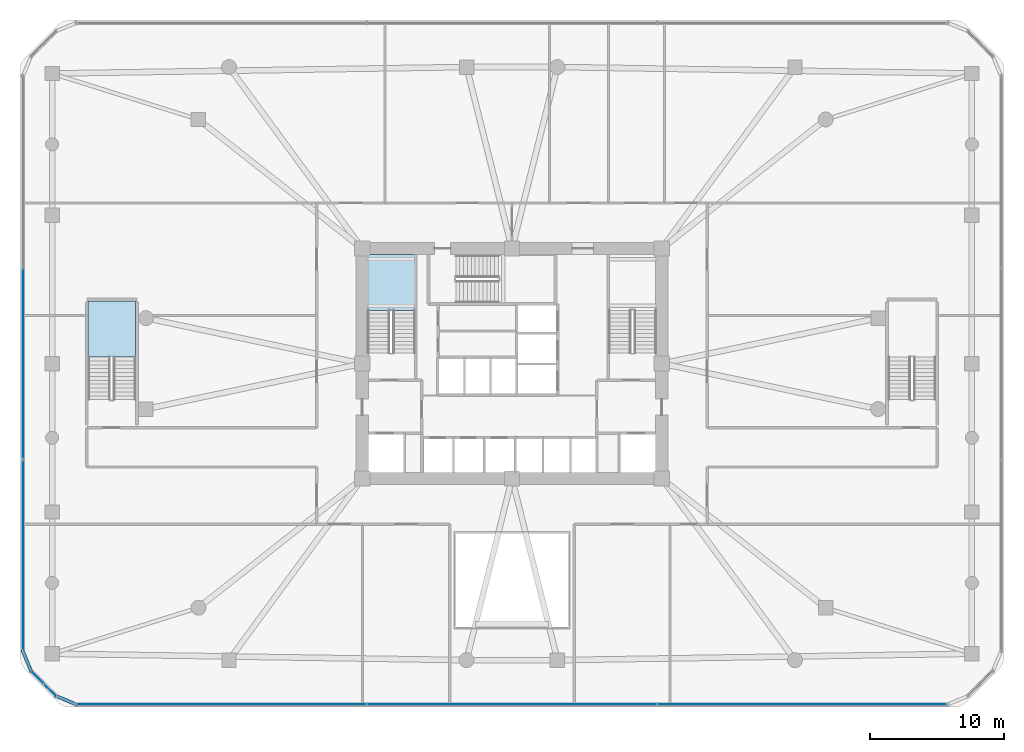
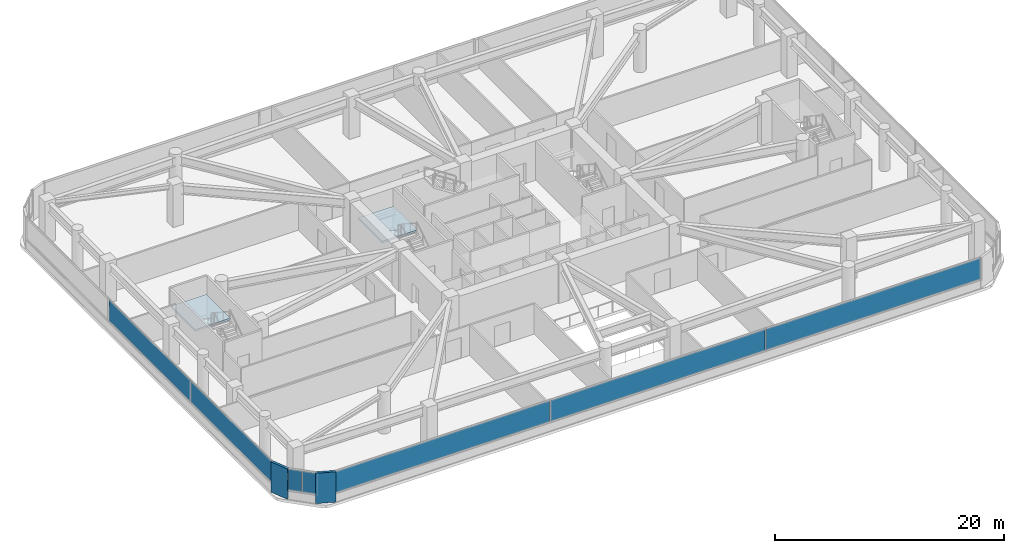
# One storey, part 12 of 21: 9 plates, 2 slabs, 5 elements without a shape of their own.
"""IFC4 building model written with IfcOpenShell, lengths in metres."""

from ifc_helpers import new_model, si_unit, derived_unit, direction, frame, origin, origin_2d, place, context, subcontext, project, spatial, polyline, rectangle, outline, extrude, material, layer, layer_set, type_object, element, aggregate, save


model = new_model("IFC4")

# Units and contexts
model_context = context("Model", 3, precision=1e-05, world=origin(), true_north=direction((0.0, 1.0)))
body_context = subcontext(model_context, "Body", "Model", "MODEL_VIEW")
ifc_project = project(units=[si_unit("LENGTHUNIT", "METRE"), si_unit("AREAUNIT", "SQUARE_METRE"), si_unit("VOLUMEUNIT", "CUBIC_METRE"), si_unit("PLANEANGLEUNIT", "RADIAN"), si_unit("MASSUNIT", "GRAM", prefix="KILO"), derived_unit("THERMALTRANSMITTANCEUNIT", [(si_unit("POWERUNIT", "WATT"), 1), (si_unit("LENGTHUNIT", "METRE"), -2), (si_unit("THERMODYNAMICTEMPERATUREUNIT", "KELVIN"), -1)])], contexts=[model_context])

# Site, building, storey
site_placement = place(None, origin())
site = spatial("IfcSite", under=ifc_project, at=site_placement, CompositionType="ELEMENT")
building_placement = place(site_placement, origin())
building = spatial("IfcBuilding", under=site, at=building_placement, Name="Koralith Skygarden Medical Center", CompositionType="ELEMENT")
storey_placement = place(building_placement, frame((0.0, 0.0, 5.39990234375)))
storey = spatial("IfcBuildingStorey", under=building, at=storey_placement, Name="L01", CompositionType="ELEMENT", Elevation=5.39990234375)

# Curtain wall, plates
ifc_material_1 = material(Name="Clear Laminated Glass", Category="glass")
curtain_wall_type = type_object("IfcCurtainWallType", Name="CW-1 Transit & Podium Acoustic Curtain Wall", PredefinedType="NOTDEFINED", material=ifc_material_1)
curtain_wall_1_placement = place(storey_placement, origin())
curtain_wall_1 = element("IfcCurtainWall", 1, at=curtain_wall_1_placement, inside=storey, type_object=curtain_wall_type, Name="Curtain Wall CW-L01-S", PredefinedType="NOTDEFINED")
ifc_layer_1 = layer(ifc_material_1, 0.030029296875)
ifc_layer_set_1 = layer_set([ifc_layer_1], Name="Clear Laminated Glass")
plate_type_1 = type_object("IfcPlateType", Name="CW-1 Hurricane Laminated IGU Panel 30", PredefinedType="CURTAIN_PANEL", material=ifc_layer_set_1)
plate_1_placement = place(storey_placement, frame((15.2529296875, 0.419921875, 0.920166015625), z_axis=(0.0, 0.0, 1.0), x_axis=(1.0, 0.0, 0.0)))
plate_1 = element("IfcPlate", 2, at=plate_1_placement, type_object=plate_type_1, Name="CW-L01-S Glazed Panel 1", PredefinedType="CURTAIN_PANEL", context=body_context, shape_type="SweptSolid", body=[
    extrude(rectangle(XDim=21.656982421875, YDim=0.030029296875, at=origin_2d()), origin(), (0.0, 0.0, 1.0), 2.25),
])
plate_2_placement = place(storey_placement, frame((37.0, 0.419921875, 0.920166015625), z_axis=(0.0, 0.0, 1.0), x_axis=(1.0, 0.0, 0.0)))
plate_2 = element("IfcPlate", 3, at=plate_2_placement, type_object=plate_type_1, Name="CW-L01-S Glazed Panel 2", PredefinedType="CURTAIN_PANEL", context=body_context, shape_type="SweptSolid", body=[
    extrude(rectangle(XDim=21.656982421875, YDim=0.030029296875, at=origin_2d()), origin(), (0.0, 0.0, 1.0), 2.25),
])
plate_3_placement = place(storey_placement, frame((58.7470703125, 0.419921875, 0.920166015625), z_axis=(0.0, 0.0, 1.0), x_axis=(1.0, 0.0, 0.0)))
plate_3 = element("IfcPlate", 4, at=plate_3_placement, type_object=plate_type_1, Name="CW-L01-S Glazed Panel 3", PredefinedType="CURTAIN_PANEL", context=body_context, shape_type="SweptSolid", body=[
    extrude(rectangle(XDim=21.656982421875, YDim=0.030029296875, at=origin_2d()), origin(), (0.0, 0.0, 1.0), 2.25),
])
aggregate(curtain_wall_1, [plate_1, plate_2, plate_3])

curtain_wall_2_placement = place(storey_placement, origin())
curtain_wall_2 = element("IfcCurtainWall", 5, at=curtain_wall_2_placement, inside=storey, type_object=curtain_wall_type, Name="Curtain Wall CW-L01-W", PredefinedType="NOTDEFINED")
plate_4_placement = place(storey_placement, frame((0.419921875, 25.89990234375, 0.920166015625), z_axis=(0.0, 0.0, 1.0), x_axis=(0.0, -1.0, 0.0)))
plate_4 = element("IfcPlate", 6, at=plate_4_placement, type_object=plate_type_1, Name="CW-L01-W Glazed Panel 2", PredefinedType="CURTAIN_PANEL", context=body_context, shape_type="SweptSolid", body=[
    extrude(rectangle(XDim=14.257080078125, YDim=0.030029296875, at=origin_2d()), origin(), (0.0, 0.0, 1.0), 2.25),
])
plate_5_placement = place(storey_placement, frame((0.419921875, 11.552978515625, 0.920166015625), z_axis=(0.0, 0.0, 1.0), x_axis=(0.0, -1.0, 0.0)))
plate_5 = element("IfcPlate", 7, at=plate_5_placement, type_object=plate_type_1, Name="CW-L01-W Glazed Panel 3", PredefinedType="CURTAIN_PANEL", context=body_context, shape_type="SweptSolid", body=[
    extrude(rectangle(XDim=14.257080078125, YDim=0.030029296875, at=origin_2d()), origin(), (0.0, 0.0, 1.0), 2.25),
])
aggregate(curtain_wall_2, [plate_4, plate_5])

curtain_wall_3_placement = place(storey_placement, origin())
curtain_wall_3 = element("IfcCurtainWall", 8, at=curtain_wall_3_placement, inside=storey, type_object=curtain_wall_type, Name="Curtain Wall CW-L01-SW", PredefinedType="NOTDEFINED")
plate_6_placement = place(storey_placement, frame((1.498046875, 2.450927734375, 0.920166015625), z_axis=(0.0, 0.0, 1.0), x_axis=(0.707106781187, -0.707106781187, 0.0)))
plate_6 = element("IfcPlate", 9, at=plate_6_placement, type_object=plate_type_1, Name="CW-L01-SW Glazed Panel 1", PredefinedType="CURTAIN_PANEL", context=body_context, shape_type="SweptSolid", body=[
    extrude(rectangle(XDim=1.258056640625, YDim=0.030029296875, at=origin_2d()), origin(), (0.0, 0.0, 1.0), 2.25),
])
plate_7_placement = place(storey_placement, frame((2.450927734375, 1.498046875, 0.920166015625), z_axis=(0.0, 0.0, 1.0), x_axis=(0.707106781187, -0.707106781187, 0.0)))
plate_7 = element("IfcPlate", 10, at=plate_7_placement, type_object=plate_type_1, Name="CW-L01-SW Glazed Panel 2", PredefinedType="CURTAIN_PANEL", context=body_context, shape_type="SweptSolid", body=[
    extrude(rectangle(XDim=1.258056640625, YDim=0.030029296875, at=origin_2d()), origin(), (0.0, 0.0, 1.0), 2.25),
])
aggregate(curtain_wall_3, [plate_6, plate_7])

# Stair, slab
ifc_material_2 = material(Name="Concrete C45/55", Category="concrete")
stair_type = type_object("IfcStairType", Name="Core Exit Dogleg Concrete Stair", PredefinedType="HALF_TURN_STAIR", material=ifc_material_2)
stair_1_placement = place(storey_placement, origin())
stair_1 = element("IfcStair", 11, at=stair_1_placement, inside=storey, type_object=stair_type, Name="L01 Smokeproof Exit Stair ST1", PredefinedType="HALF_TURN_STAIR")
ifc_layer_2 = layer(ifc_material_2, 0.199951171875)
ifc_layer_set_2 = layer_set([ifc_layer_2], Name="Concrete C45/55")
slab_type = type_object("IfcSlabType", Name="Core Exit Concrete Stair Landing 200", PredefinedType="LANDING", material=ifc_layer_set_2)
slab_1_placement = place(storey_placement, frame((0.0, 0.0, 2.050048828125)))
slab_1 = element("IfcSlab", 12, at=slab_1_placement, type_object=slab_type, Name="ST1 landing 1", PredefinedType="LANDING", context=body_context, shape_type="SweptSolid", body=[
    extrude(outline(polyline([(29.75, 29.889892578125), (29.75, 34.050048828125), (26.199951171875, 34.050048828125), (26.199951171875, 29.889892578125), (29.75, 29.889892578125)])), origin(), (0.0, 0.0, 1.0), 0.199951171875),
])
aggregate(stair_1, [slab_1])

stair_2_placement = place(storey_placement, origin())
stair_2 = element("IfcStair", 13, at=stair_2_placement, inside=storey, type_object=stair_type, Name="L01 Podium Smokeproof Exit Stair ST4", PredefinedType="HALF_TURN_STAIR")
slab_2_placement = place(storey_placement, frame((0.0, 0.0, 2.050048828125)))
slab_2 = element("IfcSlab", 14, at=slab_2_placement, type_object=slab_type, Name="ST4 landing 1", PredefinedType="LANDING", context=body_context, shape_type="SweptSolid", body=[
    extrude(outline(polyline([(8.85009765625, 26.389892578125), (8.85009765625, 30.60009765625), (5.300048828125, 30.60009765625), (5.300048828125, 26.389892578125), (8.85009765625, 26.389892578125)])), origin(), (0.0, 0.0, 1.0), 0.199951171875),
])
aggregate(stair_2, [slab_2])

# Plates
ifc_material_3 = material(Name="Warm Oolitic Limestone Cladding", Category="masonry")
ifc_layer_3 = layer(ifc_material_3, 0.239990234375)
ifc_layer_set_3 = layer_set([ifc_layer_3], Name="Warm Oolitic Limestone Cladding")
plate_type_2 = type_object("IfcPlateType", Name="Rounded-Corner Oolitic Limestone Cladding Panel 240", PredefinedType="USERDEFINED", material=ifc_layer_set_3)
for number, where, z_axis, x_axis, name in (
    (15, (0.719970703125, 3.653076171875, 0.0), (0.0, 0.0, 1.0), (0.382670532536, -0.92388487569, 0.0), "L01 Rounded-Corner Limestone Pier 7"),
    (16, (3.653076171875, 0.719970703125, 0.0), (0.0, 0.0, 1.0), (0.92388487569, -0.382670532536, 0.0), "L01 Rounded-Corner Limestone Pier 8"),
):
    element("IfcPlate", number, at=place(storey_placement, frame(where, z_axis=z_axis, x_axis=x_axis)), inside=storey, type_object=plate_type_2, Name=name, ObjectType="LIMESTONE CLADDING", PredefinedType="USERDEFINED", context=body_context, shape_type="SweptSolid", body=[
        extrude(rectangle(XDim=1.81103515625, YDim=0.239990234375, at=origin_2d()), origin(), (0.0, 0.0, 1.0), 3.239990234375),
    ])

save(model, "model.ifc")
